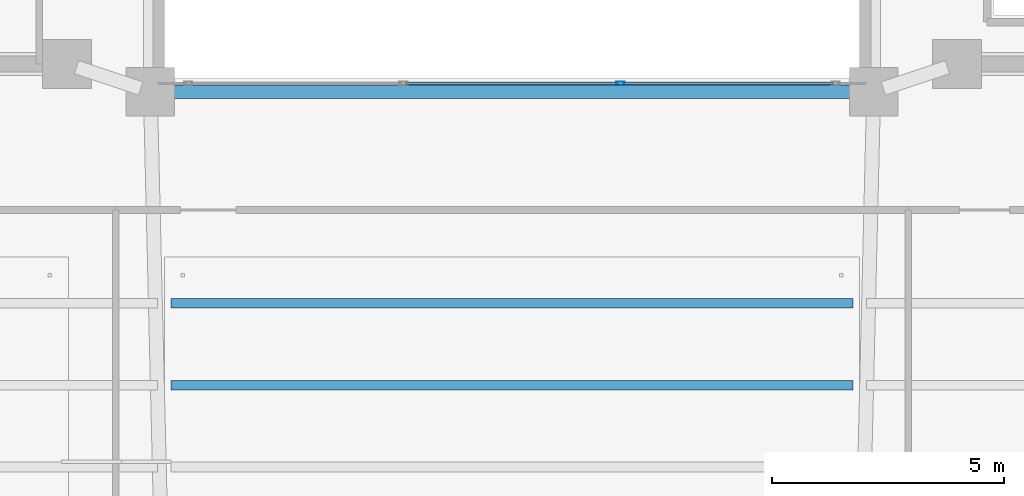
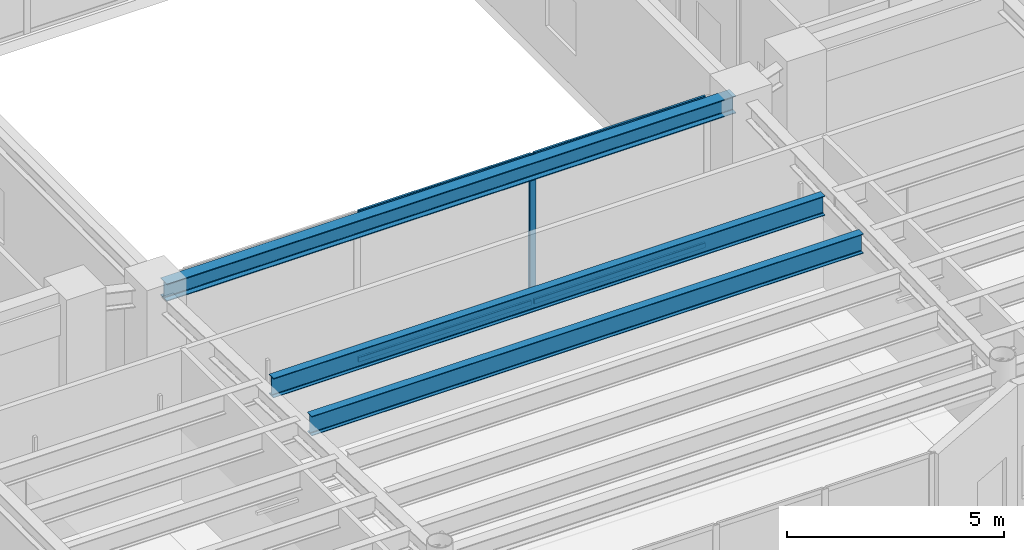
# One storey, part 7 of 33: 5 members, 3 beams, 1 element without a shape of its own.
"""IFC4 building model written with IfcOpenShell, lengths in metres."""

from ifc_helpers import new_model, si_unit, direction, frame, origin, origin_2d, place, context, subcontext, project, spatial, hollow_rectangle, i_section, extrude, material, layer, layer_set, material_profile, profile_set, type_object, element, aggregate, save


model = new_model("IFC4")

# Units and contexts
model_context = context("Model", 3, precision=1e-05, world=origin(), true_north=direction((0.0, 1.0)))
body_context = subcontext(model_context, "Body", "Model", "MODEL_VIEW")
ifc_project = project(units=[si_unit("LENGTHUNIT", "METRE"), si_unit("AREAUNIT", "SQUARE_METRE"), si_unit("VOLUMEUNIT", "CUBIC_METRE"), si_unit("PLANEANGLEUNIT", "RADIAN"), si_unit("MASSUNIT", "GRAM", prefix="KILO")], contexts=[model_context])

# Site, building, storey
site_placement = place(None, origin())
site = spatial("IfcSite", under=ifc_project, at=site_placement, CompositionType="ELEMENT")
building_placement = place(site_placement, origin())
building = spatial("IfcBuilding", under=site, at=building_placement, Name="Tarnavaz Court Tower", CompositionType="ELEMENT")
storey_placement = place(building_placement, frame((0.0, 0.0, 172.800048828125)))
storey = spatial("IfcBuildingStorey", under=building, at=storey_placement, Name="L47", CompositionType="ELEMENT", Elevation=172.800048828125)

# Beams
ifc_material_1 = material(Name="Steel S355", Category="steel")
ifc_material_profile_1 = material_profile(ifc_material_1, i_section(OverallWidth=0.2099609375, OverallDepth=0.550048828125, WebThickness=0.010986328125, FlangeThickness=0.01708984375, FilletRadius=0.02392578125, at=origin_2d()), Name="IPE 550")
ifc_profile_set_1 = profile_set([ifc_material_profile_1], Name="Steel S355")
beam_type_1 = type_object("IfcBeamType", Name="BM-J-IPE550", PredefinedType="JOIST", material=ifc_profile_set_1)
for number, where, z_axis, x_axis, name in (
    (1, (-7.35009765625, -12.364013671875, 3.925048828125), (1.0, 0.0, 0.0), (0.0, 1.0, 0.0), "L47 Beam JS1-2"),
    (2, (-7.35009765625, -14.1279296875, 3.925048828125), (1.0, 0.0, 0.0), (0.0, 1.0, 0.0), "L47 Beam JS2-2"),
):
    element("IfcBeam", number, at=place(storey_placement, frame(where, z_axis=z_axis, x_axis=x_axis)), inside=storey, type_object=beam_type_1, Name=name, PredefinedType="JOIST", context=body_context, shape_type="SweptSolid", body=[
        extrude(i_section(OverallWidth=0.2099609375, OverallDepth=0.550048828125, WebThickness=0.010986328125, FlangeThickness=0.01708984375, FilletRadius=0.02392578125, at=origin_2d()), origin(), (0.0, 0.0, 1.0), 14.7001953125),
    ])
ifc_material_profile_2 = material_profile(ifc_material_1, i_section(OverallWidth=0.300048828125, OverallDepth=0.489990234375, WebThickness=0.011962890625, FlangeThickness=0.02294921875, FilletRadius=0.027099609375, at=origin_2d()), Name="HEA 500")
ifc_profile_set_2 = profile_set([ifc_material_profile_2], Name="Steel S355")
beam_type_2 = type_object("IfcBeamType", Name="BM-SP-HEA500", PredefinedType="SPANDREL", material=ifc_profile_set_2)
beam_placement = place(storey_placement, frame((-7.580078125, -7.800048828125, 3.954833984375), z_axis=(1.0, 0.0, 0.0), x_axis=(0.0, 1.0, 0.0)))
element("IfcBeam", 3, at=beam_placement, inside=storey, type_object=beam_type_2, Name="L47 Beam IN-IW-SW-IW-SE", PredefinedType="SPANDREL", context=body_context, shape_type="SweptSolid", body=[
    extrude(i_section(OverallWidth=0.300048828125, OverallDepth=0.489990234375, WebThickness=0.011962890625, FlangeThickness=0.02294921875, FilletRadius=0.027099609375, at=origin_2d()), origin(), (0.0, 0.0, 1.0), 15.16015625),
])

# Curtain wall, members
ifc_material_2 = material(Name="Anodised Aluminium 6063-T6 and Solar Low-E Glazing", Category="aluminium")
ifc_layer = layer(ifc_material_2, 0.139892578125)
ifc_layer_set = layer_set([ifc_layer], Name="Anodised Aluminium 6063-T6 and Solar Low-E Glazing")
curtain_wall_type = type_object("IfcCurtainWallType", Name="CW-SYS-04", PredefinedType="NOTDEFINED", material=ifc_layer_set)
curtain_wall_placement = place(storey_placement, origin())
curtain_wall = element("IfcCurtainWall", 4, at=curtain_wall_placement, inside=storey, type_object=curtain_wall_type, Name="L47 Badgir Courtyard Curtain Wall S", PredefinedType="NOTDEFINED")
ifc_material_3 = material(Name="Anodised Aluminium 6063-T6", Category="aluminium")
ifc_material_profile_3 = material_profile(ifc_material_3, hollow_rectangle(XDim=0.074951171875, YDim=0.179931640625, WallThickness=0.0048828125, InnerFilletRadius=0.0048828125, OuterFilletRadius=0.010009765625, at=origin_2d()), Name="ALU RHS 180X75X5")
ifc_profile_set_3 = profile_set([ifc_material_profile_3], Name="Anodised Aluminium 6063-T6")
member_type_1 = type_object("IfcMemberType", Name="CW-MUL-180", PredefinedType="MULLION", material=ifc_profile_set_3)
member_1_placement = place(storey_placement, frame((2.340087890625, -7.6201171875, 0.0), z_axis=(0.0, 0.0, 1.0), x_axis=(0.0, 1.0, 0.0)))
member_1 = element("IfcMember", 5, at=member_1_placement, type_object=member_type_1, Name="CW mullion 3", PredefinedType="MULLION", context=body_context, shape_type="SweptSolid", body=[
    extrude(hollow_rectangle(XDim=0.074951171875, YDim=0.179931640625, WallThickness=0.0048828125, InnerFilletRadius=0.0048828125, OuterFilletRadius=0.010009765625, at=origin_2d()), origin(), (0.0, 0.0, 1.0), 4.199951171875),
])
ifc_material_profile_4 = material_profile(ifc_material_3, hollow_rectangle(XDim=0.06494140625, YDim=0.139892578125, WallThickness=0.00390625, InnerFilletRadius=0.00390625, OuterFilletRadius=0.008056640625, at=origin_2d()), Name="ALU RHS 140X65X4")
ifc_profile_set_4 = profile_set([ifc_material_profile_4], Name="Anodised Aluminium 6063-T6")
member_type_2 = type_object("IfcMemberType", Name="CW-TRN-140", PredefinedType="USERDEFINED", material=ifc_profile_set_4)
member_2_placement = place(storey_placement, frame((-2.302490234375, -7.6201171875, 0.032470703125), z_axis=(1.0, 0.0, 0.0), x_axis=(0.0, 1.0, 0.0)))
member_2 = element("IfcMember", 6, at=member_2_placement, type_object=member_type_2, Name="CW transom 2.1", ObjectType="TRANSOM", PredefinedType="USERDEFINED", context=body_context, shape_type="SweptSolid", body=[
    extrude(hollow_rectangle(XDim=0.06494140625, YDim=0.139892578125, WallThickness=0.00390625, InnerFilletRadius=0.00390625, OuterFilletRadius=0.008056640625, at=origin_2d()), origin(), (0.0, 0.0, 1.0), 4.60498046875),
])
member_3_placement = place(storey_placement, frame((-2.302490234375, -7.6201171875, 4.16748046875), z_axis=(1.0, 0.0, 0.0), x_axis=(0.0, 1.0, 0.0)))
member_3 = element("IfcMember", 7, at=member_3_placement, type_object=member_type_2, Name="CW transom 2.2", ObjectType="TRANSOM", PredefinedType="USERDEFINED", context=body_context, shape_type="SweptSolid", body=[
    extrude(hollow_rectangle(XDim=0.06494140625, YDim=0.139892578125, WallThickness=0.00390625, InnerFilletRadius=0.00390625, OuterFilletRadius=0.008056640625, at=origin_2d()), origin(), (0.0, 0.0, 1.0), 4.60498046875),
])
member_4_placement = place(storey_placement, frame((2.37744140625, -7.6201171875, 0.032470703125), z_axis=(1.0, 0.0, 0.0), x_axis=(0.0, 1.0, 0.0)))
member_4 = element("IfcMember", 8, at=member_4_placement, type_object=member_type_2, Name="CW transom 3.1", ObjectType="TRANSOM", PredefinedType="USERDEFINED", context=body_context, shape_type="SweptSolid", body=[
    extrude(hollow_rectangle(XDim=0.06494140625, YDim=0.139892578125, WallThickness=0.00390625, InnerFilletRadius=0.00390625, OuterFilletRadius=0.008056640625, at=origin_2d()), origin(), (0.0, 0.0, 1.0), 4.567626953125),
])
member_5_placement = place(storey_placement, frame((2.37744140625, -7.6201171875, 4.16748046875), z_axis=(1.0, 0.0, 0.0), x_axis=(0.0, 1.0, 0.0)))
member_5 = element("IfcMember", 9, at=member_5_placement, type_object=member_type_2, Name="CW transom 3.2", ObjectType="TRANSOM", PredefinedType="USERDEFINED", context=body_context, shape_type="SweptSolid", body=[
    extrude(hollow_rectangle(XDim=0.06494140625, YDim=0.139892578125, WallThickness=0.00390625, InnerFilletRadius=0.00390625, OuterFilletRadius=0.008056640625, at=origin_2d()), origin(), (0.0, 0.0, 1.0), 4.567626953125),
])
aggregate(curtain_wall, [member_1, member_2, member_3, member_4, member_5])

save(model, "model.ifc")
